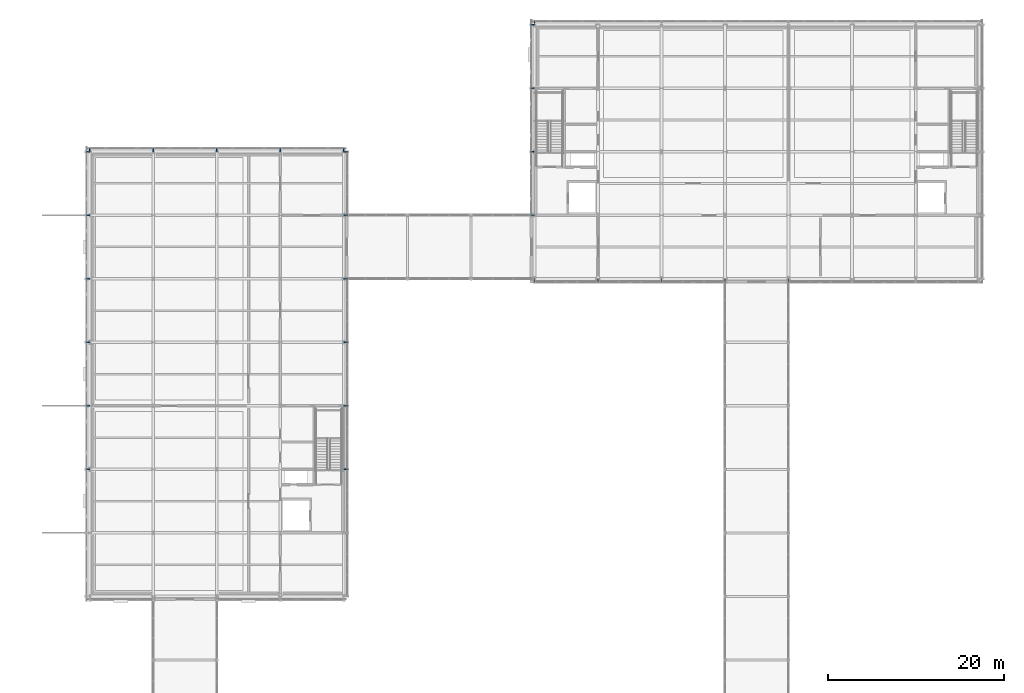
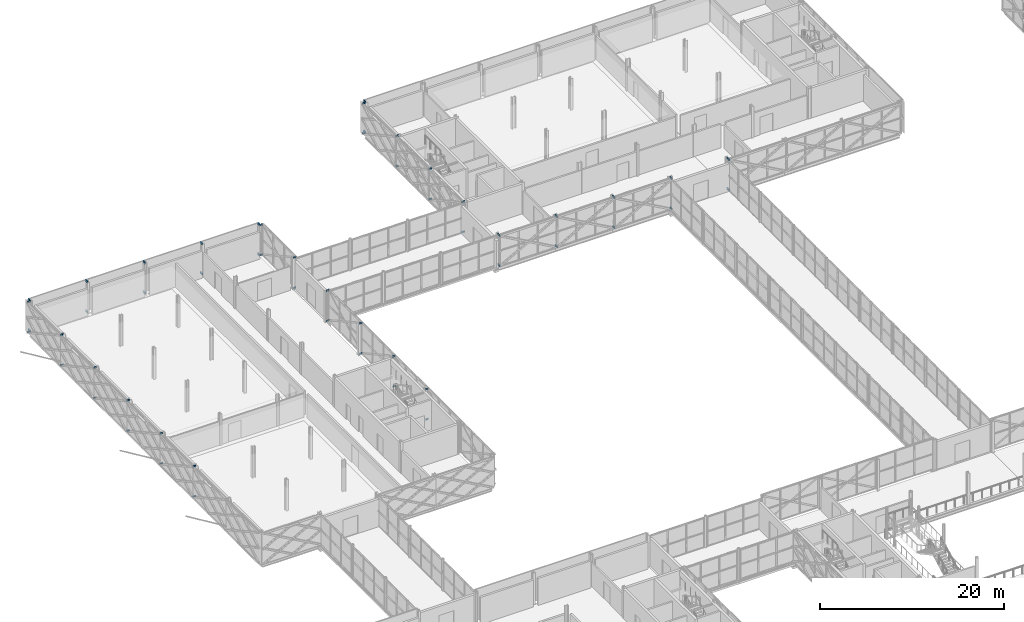
# One storey, part 83 of 146: 54 beams.
"""IFC4 building model written with IfcOpenShell, lengths in metres."""

from ifc_helpers import new_model, si_unit, direction, frame, origin, origin_2d, place, context, subcontext, project, spatial, i_section, extrude, material, material_profile, profile_set, type_object, element, save


model = new_model("IFC4")

# Units and contexts
model_context = context("Model", 3, precision=1e-05, world=origin(), true_north=direction((0.0, 1.0)))
body_context = subcontext(model_context, "Body", "Model", "MODEL_VIEW")
ifc_project = project(units=[si_unit("LENGTHUNIT", "METRE"), si_unit("AREAUNIT", "SQUARE_METRE"), si_unit("VOLUMEUNIT", "CUBIC_METRE"), si_unit("PLANEANGLEUNIT", "RADIAN"), si_unit("MASSUNIT", "GRAM", prefix="KILO")], contexts=[model_context])

# Site, building, storey
site_placement = place(None, origin())
site = spatial("IfcSite", under=ifc_project, at=site_placement, CompositionType="ELEMENT")
building_placement = place(site_placement, origin())
building = spatial("IfcBuilding", under=site, at=building_placement, Name="Zlatovets Crest Museum", CompositionType="ELEMENT")
storey_placement = place(building_placement, frame((0.0, 0.0, 4.5)))
storey = spatial("IfcBuildingStorey", under=building, at=storey_placement, Name="L01", CompositionType="ELEMENT", Elevation=4.5)

# Beams
ifc_material = material(Name="Structural steel S355J2", Category="steel")
ifc_material_profile = material_profile(ifc_material, i_section(OverallWidth=0.10009765625, OverallDepth=0.199951171875, WebThickness=0.005615234375, FlangeThickness=0.008544921875, FilletRadius=0.011962890625, at=origin_2d()), Name="IPE 200")
ifc_profile_set = profile_set([ifc_material_profile], Name="Structural steel S355J2")
beam_type = type_object("IfcBeamType", Name="Beam_PR-02", PredefinedType="LINTEL", material=ifc_profile_set)
for number, where, z_axis, x_axis, name in (
    (1, (57.60009765625, 86.39990234375, 0.10009765625), (0.0, -1.0, 0.0), (1.0, 0.0, 0.0), "Lattice Structural Outrigger Tie"),
    (2, (57.60009765625, 86.39990234375, 4.10009765625), (0.0, -1.0, 0.0), (1.0, 0.0, 0.0), "Lattice Structural Outrigger Tie"),
    (3, (64.800048828125, 86.39990234375, 0.10009765625), (0.0, -1.0, 0.0), (1.0, 0.0, 0.0), "Lattice Structural Outrigger Tie"),
    (4, (64.800048828125, 86.39990234375, 4.10009765625), (0.0, -1.0, 0.0), (1.0, 0.0, 0.0), "Lattice Structural Outrigger Tie"),
    (5, (72.0, 86.39990234375, 0.10009765625), (0.0, -1.0, 0.0), (1.0, 0.0, 0.0), "Lattice Structural Outrigger Tie"),
    (6, (72.0, 86.39990234375, 4.10009765625), (0.0, -1.0, 0.0), (1.0, 0.0, 0.0), "Lattice Structural Outrigger Tie"),
    (7, (79.199951171875, 86.39990234375, 0.10009765625), (0.0, -1.0, 0.0), (1.0, 0.0, 0.0), "Lattice Structural Outrigger Tie"),
    (8, (79.199951171875, 86.39990234375, 4.10009765625), (0.0, -1.0, 0.0), (1.0, 0.0, 0.0), "Lattice Structural Outrigger Tie"),
    (9, (86.39990234375, 86.39990234375, 0.10009765625), (0.0, -1.0, 0.0), (1.0, 0.0, 0.0), "Lattice Structural Outrigger Tie"),
    (10, (86.39990234375, 86.39990234375, 4.10009765625), (0.0, -1.0, 0.0), (1.0, 0.0, 0.0), "Lattice Structural Outrigger Tie"),
):
    element("IfcBeam", number, at=place(storey_placement, frame(where, z_axis=z_axis, x_axis=x_axis)), inside=storey, type_object=beam_type, Name=name, PredefinedType="LINTEL", context=body_context, shape_type="SweptSolid", body=[
        extrude(i_section(OverallWidth=0.10009765625, OverallDepth=0.199951171875, WebThickness=0.005615234375, FlangeThickness=0.008544921875, FilletRadius=0.011962890625, at=origin_2d()), origin(), (0.0, 0.0, 1.0), 0.419921875),
    ])
for number, where, z_axis, x_axis, name in (
    (11, (57.60009765625, 115.199951171875, 0.10009765625), (0.0, 1.0, 0.0), (-1.0, 0.0, 0.0), "Lattice Structural Outrigger Tie"),
    (12, (57.60009765625, 115.199951171875, 4.10009765625), (0.0, 1.0, 0.0), (-1.0, 0.0, 0.0), "Lattice Structural Outrigger Tie"),
    (13, (57.60009765625, 115.199951171875, 0.10009765625), (-1.0, 0.0, 0.0), (0.0, -1.0, 0.0), "Lattice Structural Outrigger Tie"),
    (14, (57.60009765625, 115.199951171875, 4.10009765625), (-1.0, 0.0, 0.0), (0.0, -1.0, 0.0), "Lattice Structural Outrigger Tie"),
    (15, (57.60009765625, 108.0, 0.10009765625), (-1.0, 0.0, 0.0), (0.0, -1.0, 0.0), "Lattice Structural Outrigger Tie"),
    (16, (57.60009765625, 108.0, 4.10009765625), (-1.0, 0.0, 0.0), (0.0, -1.0, 0.0), "Lattice Structural Outrigger Tie"),
    (17, (57.60009765625, 100.800048828125, 0.10009765625), (-1.0, 0.0, 0.0), (0.0, -1.0, 0.0), "Lattice Structural Outrigger Tie"),
    (18, (57.60009765625, 100.800048828125, 4.10009765625), (-1.0, 0.0, 0.0), (0.0, -1.0, 0.0), "Lattice Structural Outrigger Tie"),
    (19, (57.60009765625, 93.60009765625, 0.10009765625), (-1.0, 0.0, 0.0), (0.0, -1.0, 0.0), "Lattice Structural Outrigger Tie"),
    (20, (57.60009765625, 93.60009765625, 4.10009765625), (-1.0, 0.0, 0.0), (0.0, -1.0, 0.0), "Lattice Structural Outrigger Tie"),
):
    element("IfcBeam", number, at=place(storey_placement, frame(where, z_axis=z_axis, x_axis=x_axis)), inside=storey, type_object=beam_type, Name=name, PredefinedType="LINTEL", context=body_context, shape_type="SweptSolid", body=[
        extrude(i_section(OverallWidth=0.10009765625, OverallDepth=0.199951171875, WebThickness=0.005615234375, FlangeThickness=0.008544921875, FilletRadius=0.011962890625, at=origin_2d()), origin(), (0.0, 0.0, 1.0), 0.420166015625),
    ])
for number, where, z_axis, x_axis, name in (
    (21, (36.0, 64.800048828125, 0.10009765625), (1.0, 0.0, 0.0), (0.0, 1.0, 0.0), "Lattice Structural Outrigger Tie"),
    (22, (36.0, 64.800048828125, 4.10009765625), (1.0, 0.0, 0.0), (0.0, 1.0, 0.0), "Lattice Structural Outrigger Tie"),
    (23, (36.0, 72.0, 0.10009765625), (1.0, 0.0, 0.0), (0.0, 1.0, 0.0), "Lattice Structural Outrigger Tie"),
    (24, (36.0, 72.0, 4.10009765625), (1.0, 0.0, 0.0), (0.0, 1.0, 0.0), "Lattice Structural Outrigger Tie"),
    (25, (36.0, 79.199951171875, 0.10009765625), (1.0, 0.0, 0.0), (0.0, 1.0, 0.0), "Lattice Structural Outrigger Tie"),
    (26, (36.0, 79.199951171875, 4.10009765625), (1.0, 0.0, 0.0), (0.0, 1.0, 0.0), "Lattice Structural Outrigger Tie"),
    (27, (36.0, 86.39990234375, 0.10009765625), (1.0, 0.0, 0.0), (0.0, 1.0, 0.0), "Lattice Structural Outrigger Tie"),
    (28, (36.0, 86.39990234375, 4.10009765625), (1.0, 0.0, 0.0), (0.0, 1.0, 0.0), "Lattice Structural Outrigger Tie"),
    (29, (36.0, 93.60009765625, 0.10009765625), (1.0, 0.0, 0.0), (0.0, 1.0, 0.0), "Lattice Structural Outrigger Tie"),
    (30, (36.0, 93.60009765625, 4.10009765625), (1.0, 0.0, 0.0), (0.0, 1.0, 0.0), "Lattice Structural Outrigger Tie"),
    (31, (36.0, 100.800048828125, 0.10009765625), (1.0, 0.0, 0.0), (0.0, 1.0, 0.0), "Lattice Structural Outrigger Tie"),
    (32, (36.0, 100.800048828125, 4.10009765625), (1.0, 0.0, 0.0), (0.0, 1.0, 0.0), "Lattice Structural Outrigger Tie"),
    (33, (36.0, 100.800048828125, 0.10009765625), (0.0, 1.0, 0.0), (-1.0, 0.0, 0.0), "Lattice Structural Outrigger Tie"),
    (34, (36.0, 100.800048828125, 4.10009765625), (0.0, 1.0, 0.0), (-1.0, 0.0, 0.0), "Lattice Structural Outrigger Tie"),
    (35, (28.800048828125, 100.800048828125, 0.10009765625), (0.0, 1.0, 0.0), (-1.0, 0.0, 0.0), "Lattice Structural Outrigger Tie"),
    (36, (28.800048828125, 100.800048828125, 4.10009765625), (0.0, 1.0, 0.0), (-1.0, 0.0, 0.0), "Lattice Structural Outrigger Tie"),
    (37, (21.60009765625, 100.800048828125, 0.10009765625), (0.0, 1.0, 0.0), (-1.0, 0.0, 0.0), "Lattice Structural Outrigger Tie"),
    (38, (21.60009765625, 100.800048828125, 4.10009765625), (0.0, 1.0, 0.0), (-1.0, 0.0, 0.0), "Lattice Structural Outrigger Tie"),
    (39, (14.39990234375, 100.800048828125, 0.10009765625), (0.0, 1.0, 0.0), (-1.0, 0.0, 0.0), "Lattice Structural Outrigger Tie"),
    (40, (14.39990234375, 100.800048828125, 4.10009765625), (0.0, 1.0, 0.0), (-1.0, 0.0, 0.0), "Lattice Structural Outrigger Tie"),
    (41, (7.199951171875, 100.800048828125, 0.10009765625), (0.0, 1.0, 0.0), (-1.0, 0.0, 0.0), "Lattice Structural Outrigger Tie"),
    (42, (7.199951171875, 100.800048828125, 4.10009765625), (0.0, 1.0, 0.0), (-1.0, 0.0, 0.0), "Lattice Structural Outrigger Tie"),
    (43, (7.199951171875, 100.800048828125, 0.10009765625), (-1.0, 0.0, 0.0), (0.0, -1.0, 0.0), "Lattice Structural Outrigger Tie"),
    (44, (7.199951171875, 100.800048828125, 4.10009765625), (-1.0, 0.0, 0.0), (0.0, -1.0, 0.0), "Lattice Structural Outrigger Tie"),
    (45, (7.199951171875, 93.60009765625, 0.10009765625), (-1.0, 0.0, 0.0), (0.0, -1.0, 0.0), "Lattice Structural Outrigger Tie"),
    (46, (7.199951171875, 93.60009765625, 4.10009765625), (-1.0, 0.0, 0.0), (0.0, -1.0, 0.0), "Lattice Structural Outrigger Tie"),
    (47, (7.199951171875, 86.39990234375, 0.10009765625), (-1.0, 0.0, 0.0), (0.0, -1.0, 0.0), "Lattice Structural Outrigger Tie"),
    (48, (7.199951171875, 86.39990234375, 4.10009765625), (-1.0, 0.0, 0.0), (0.0, -1.0, 0.0), "Lattice Structural Outrigger Tie"),
    (49, (7.199951171875, 79.199951171875, 0.10009765625), (-1.0, 0.0, 0.0), (0.0, -1.0, 0.0), "Lattice Structural Outrigger Tie"),
    (50, (7.199951171875, 79.199951171875, 4.10009765625), (-1.0, 0.0, 0.0), (0.0, -1.0, 0.0), "Lattice Structural Outrigger Tie"),
    (51, (7.199951171875, 72.0, 0.10009765625), (-1.0, 0.0, 0.0), (0.0, -1.0, 0.0), "Lattice Structural Outrigger Tie"),
    (52, (7.199951171875, 72.0, 4.10009765625), (-1.0, 0.0, 0.0), (0.0, -1.0, 0.0), "Lattice Structural Outrigger Tie"),
    (53, (7.199951171875, 64.800048828125, 0.10009765625), (-1.0, 0.0, 0.0), (0.0, -1.0, 0.0), "Lattice Structural Outrigger Tie"),
    (54, (7.199951171875, 64.800048828125, 4.10009765625), (-1.0, 0.0, 0.0), (0.0, -1.0, 0.0), "Lattice Structural Outrigger Tie"),
):
    element("IfcBeam", number, at=place(storey_placement, frame(where, z_axis=z_axis, x_axis=x_axis)), inside=storey, type_object=beam_type, Name=name, PredefinedType="LINTEL", context=body_context, shape_type="SweptSolid", body=[
        extrude(i_section(OverallWidth=0.10009765625, OverallDepth=0.199951171875, WebThickness=0.005615234375, FlangeThickness=0.008544921875, FilletRadius=0.011962890625, at=origin_2d()), origin(), (0.0, 0.0, 1.0), 0.419921875),
    ])

save(model, "model.ifc")
